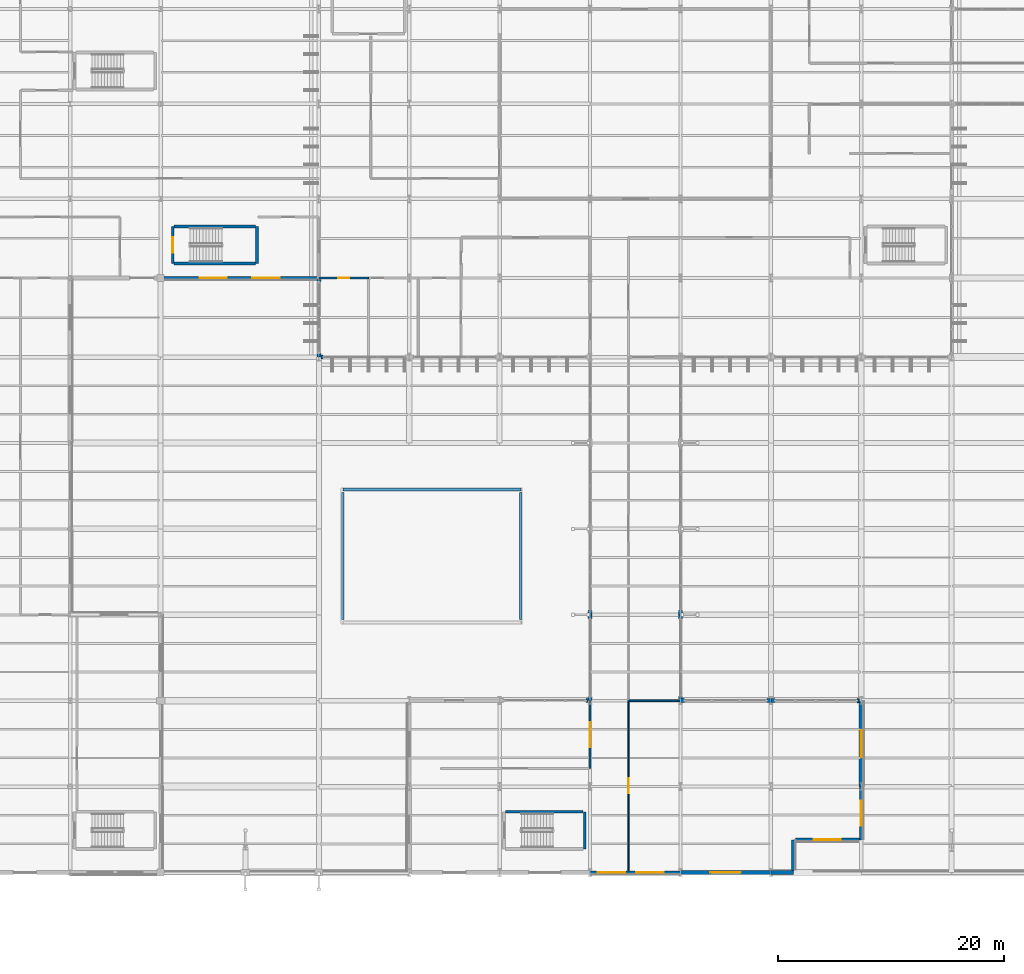
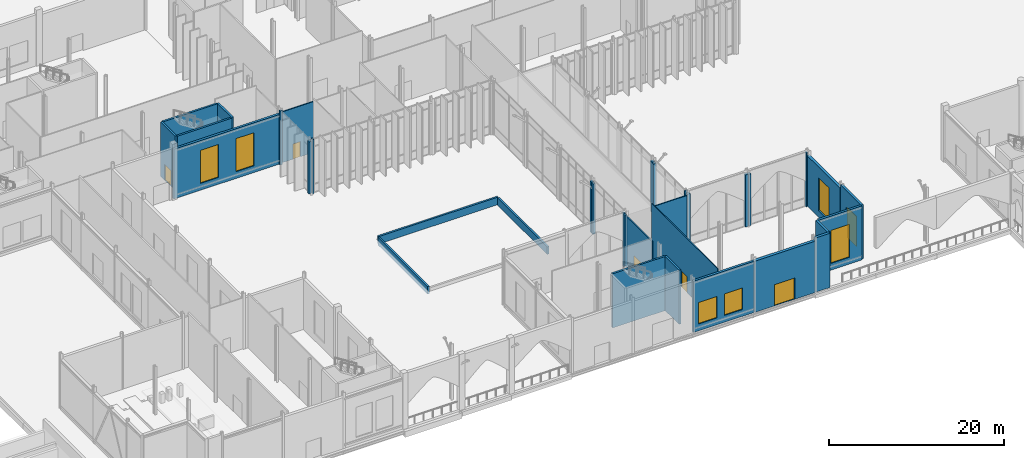
# One storey, part 135 of 176: 35 walls, 7 windows, 5 doors, 12 openings.
"""IFC4 building model written with IfcOpenShell, lengths in metres."""

import ifcopenshell
import ifcopenshell.guid

model = None  # the IFC model being written
_history = None  # IfcOwnerHistory: only IFC2X3 demands one
_inside = {}  # id of a spatial element -> (the spatial element, [elements in it])
_under = {}  # id of a project, library or spatial element -> (it, [spatial elements below it])
_declared = {}  # id of a project -> (the project, [libraries it declares])
_typed = {}  # id of a type object -> (the type object, [elements of that type])
_made_of = {}  # id of a material, layer set ... -> (it, [elements and type objects made of it])


def new_model(schema):
    """Start an empty IFC model of exactly this schema.

    Asked for "IFC4X3", IfcOpenShell would pick the latest addendum, in which some entities
    have other attributes; the version numbers below select the first issue.
    IFC2X3 requires an IfcOwnerHistory on every rooted entity: one is made here for all.
    """
    global model, _history
    if schema == "IFC4X3":
        model = ifcopenshell.file(schema_version=(4, 3, 0, 0))
    else:
        model = ifcopenshell.file(schema=schema)
    _inside.clear()
    _under.clear()
    _declared.clear()
    _typed.clear()
    _made_of.clear()
    _history = None
    if model.schema == "IFC2X3":
        org = make("IfcOrganization", Name="unknown")
        user = make(
            "IfcPersonAndOrganization",
            ThePerson=make("IfcPerson", FamilyName="unknown"),
            TheOrganization=org,
        )
        app = make(
            "IfcApplication",
            ApplicationDeveloper=org,
            Version="unknown",
            ApplicationFullName="unknown",
            ApplicationIdentifier="unknown",
        )
        _history = make(
            "IfcOwnerHistory",
            OwningUser=user,
            OwningApplication=app,
            ChangeAction="ADDED",
            CreationDate=0,
        )
    return model


def make(cls, **values):
    """One entity of the class cls with the attributes given. An attribute that is None is left unset."""
    return model.create_entity(
        cls, **{name: value for name, value in values.items() if value is not None}
    )


def rooted(cls, **values):
    """An entity with a GlobalId (a new one), such as an element, a storey or a relation."""
    return make(cls, GlobalId=ifcopenshell.guid.new(), OwnerHistory=_history, **values)


def si_unit(unit_type, name, prefix=None):
    """IfcSIUnit, for example si_unit("LENGTHUNIT", "METRE", prefix="MILLI")."""
    return make("IfcSIUnit", UnitType=unit_type, Prefix=prefix, Name=name)


def assignment(units):
    """IfcUnitAssignment: the units of a project."""
    return None if units is None else make("IfcUnitAssignment", Units=units)


def point(xyz):
    """IfcCartesianPoint."""
    return None if xyz is None else make("IfcCartesianPoint", Coordinates=xyz)


def direction(xyz):
    """IfcDirection."""
    return None if xyz is None else make("IfcDirection", DirectionRatios=xyz)


def frame(location, z_axis=None, x_axis=None):
    """IfcAxis2Placement3D, a coordinate frame: its origin and axes. An axis left out is left unset."""
    return make(
        "IfcAxis2Placement3D",
        Location=point(location),
        Axis=direction(z_axis),
        RefDirection=direction(x_axis),
    )


def frame_2d(location, x_axis=None):
    """IfcAxis2Placement2D, a coordinate frame in the plane: its origin and x axis."""
    return make(
        "IfcAxis2Placement2D", Location=point(location), RefDirection=direction(x_axis)
    )


def origin():
    """The frame at (0, 0, 0) with its axes left unset."""
    return frame((0.0, 0.0, 0.0))


def place(relative_to, where):
    """IfcLocalPlacement: puts the frame where relative to a parent placement (None: the world)."""
    return make(
        "IfcLocalPlacement", PlacementRelTo=relative_to, RelativePlacement=where
    )


def context(
    kind, dimensions, precision=None, world=None, true_north=None, identifier=None
):
    """IfcGeometricRepresentationContext, for example the 3D "Model" context."""
    return make(
        "IfcGeometricRepresentationContext",
        ContextIdentifier=identifier,
        ContextType=kind,
        CoordinateSpaceDimension=dimensions,
        Precision=precision,
        WorldCoordinateSystem=world,
        TrueNorth=true_north,
    )


def subcontext(parent, identifier, kind, view, scale=None):
    """IfcGeometricRepresentationSubContext, for example "Body" below "Model"."""
    return make(
        "IfcGeometricRepresentationSubContext",
        ContextIdentifier=identifier,
        ContextType=kind,
        ParentContext=parent,
        TargetScale=scale,
        TargetView=view,
    )


def project(units=None, contexts=None):
    """IfcProject with its units and contexts."""
    return rooted(
        "IfcProject",
        Name="project",
        RepresentationContexts=contexts,
        UnitsInContext=assignment(units),
    )


def spatial(cls, under=None, at=None, **own):
    """A site, building, storey or space (cls), placed at a placement, below another one or the project."""
    s = rooted(cls, ObjectPlacement=at, **own)
    if under is not None:
        _under.setdefault(under.id(), (under, []))[1].append(s)
    return s


def profile(cls, at=None, kind="AREA", **sizes):
    """A parametric profile (cls). Its sizes go by their IFC names, for example OverallWidth=200.0."""
    return make(cls, ProfileType=kind, Position=at, **sizes)


def rectangle(**sizes):
    """IfcRectangleProfileDef."""
    return profile("IfcRectangleProfileDef", **sizes)


def extrude(swept, where, along, depth):
    """IfcExtrudedAreaSolid: the profile swept, set in the frame where, extruded along a direction by depth."""
    return make(
        "IfcExtrudedAreaSolid",
        SweptArea=swept,
        Position=where,
        ExtrudedDirection=direction(along),
        Depth=depth,
    )


def shape(context_of_items, identifier, shape_type, items):
    """IfcShapeRepresentation: the items that make up one representation, for example the "Body"."""
    return make(
        "IfcShapeRepresentation",
        ContextOfItems=context_of_items,
        RepresentationIdentifier=identifier,
        RepresentationType=shape_type,
        Items=items,
    )


def material(Name=None, Category=None):
    """IfcMaterial."""
    return make("IfcMaterial", Name=Name, Category=Category)


def layer(
    of_material, thickness, ventilated=None, Name=None, Category=None, Priority=None
):
    """IfcMaterialLayer: one layer of a wall or slab, of a material (None: an air gap)."""
    return make(
        "IfcMaterialLayer",
        Material=of_material,
        LayerThickness=thickness,
        IsVentilated=ventilated,
        Name=Name,
        Category=Category,
        Priority=Priority,
    )


def layer_set(layers, Name=None):
    """IfcMaterialLayerSet."""
    return make("IfcMaterialLayerSet", MaterialLayers=layers, LayerSetName=Name)


def made_of(thing, what):
    """Note that an element or type object is made of a material, layer set ...; save() writes the relation."""
    if what is not None:
        _made_of.setdefault(what.id(), (what, []))[1].append(thing)
    return thing


def type_object(cls, material=None, **own):
    """A type object (cls), such as IfcWallType, which elements share."""
    return made_of(rooted(cls, **own), material)


def element(
    cls,
    number,
    at=None,
    inside=None,
    cuts=None,
    type_object=None,
    material=None,
    context=None,
    identifier="Body",
    shape_type=None,
    held_by="IfcProductDefinitionShape",
    body=None,
    shapes=None,
    **own,
):
    """One element of the class cls, such as IfcWall. Its Tag is "e" and its number.

    at: its placement. inside: the storey or other place that contains it. cuts: it is an
    opening in that element (IfcRelVoidsElement). A single representation is given by context,
    identifier, shape_type and body (its items); several are given by shapes. held_by: the class
    of the entity that holds the representations. save() writes the other relations.
    """
    e = rooted(cls, Tag="e%d" % number, ObjectPlacement=at, **own)
    if body is not None:
        shapes = [shape(context, identifier, shape_type, body)]
    if shapes is not None:
        e.Representation = make(held_by, Representations=shapes)
    if inside is not None:
        _inside.setdefault(inside.id(), (inside, []))[1].append(e)
    if cuts is not None:
        rooted(
            "IfcRelVoidsElement", RelatingBuildingElement=cuts, RelatedOpeningElement=e
        )
    if type_object is not None:
        _typed.setdefault(type_object.id(), (type_object, []))[1].append(e)
    return made_of(e, material)


def fill(opening, filler):
    """IfcRelFillsElement: the door or window that sits in an opening."""
    return rooted(
        "IfcRelFillsElement",
        RelatingOpeningElement=opening,
        RelatedBuildingElement=filler,
    )


def aggregate(whole, parts):
    """IfcRelAggregates: a whole, such as a stair, and the parts it consists of."""
    return rooted("IfcRelAggregates", RelatingObject=whole, RelatedObjects=parts)


def save(model, path):
    """Write the relations noted so far, then the file.

    IfcRelAggregates (storeys below a building ...), IfcRelContainedInSpatialStructure (elements
    in a storey), IfcRelDefinesByType, IfcRelAssociatesMaterial and IfcRelDeclares: one each for
    every whole, place, type object, material and project.
    """
    for whole, parts in _under.values():
        aggregate(whole, parts)
    for where, things in _inside.values():
        rooted(
            "IfcRelContainedInSpatialStructure",
            RelatedElements=things,
            RelatingStructure=where,
        )
    for kind, things in _typed.values():
        rooted("IfcRelDefinesByType", RelatedObjects=things, RelatingType=kind)
    for what, things in _made_of.values():
        rooted("IfcRelAssociatesMaterial", RelatedObjects=things, RelatingMaterial=what)
    for by, libraries in _declared.values():
        rooted("IfcRelDeclares", RelatingContext=by, RelatedDefinitions=libraries)
    model.write(path)


model = new_model("IFC4")

# Units and contexts
model_context = context("Model", 3, precision=1e-05, world=origin(), true_north=direction((0.0, 1.0)))
body_context = subcontext(model_context, "Body", "Model", "MODEL_VIEW")
ifc_project = project(units=[si_unit("LENGTHUNIT", "METRE"), si_unit("AREAUNIT", "SQUARE_METRE"), si_unit("VOLUMEUNIT", "CUBIC_METRE"), si_unit("PLANEANGLEUNIT", "RADIAN"), si_unit("MASSUNIT", "GRAM", prefix="KILO")], contexts=[model_context])

# Site, building, storey
site_placement = place(None, origin())
site = spatial("IfcSite", under=ifc_project, at=site_placement, CompositionType="ELEMENT")
building_placement = place(site_placement, origin())
building = spatial("IfcBuilding", under=site, at=building_placement, Name="Vekula Escarpment Museum", CompositionType="ELEMENT")
storey_placement = place(building_placement, origin())
storey = spatial("IfcBuildingStorey", under=building, at=storey_placement, Name="L01", CompositionType="ELEMENT", Elevation=0.0)

# Wall, opening, window
ifc_material_1 = material(Name="Inkisi arkosic sandstone masonry", Category="masonry")
ifc_layer_1 = layer(ifc_material_1, 0.300048828125)
ifc_layer_set_1 = layer_set([ifc_layer_1], Name="Inkisi arkosic sandstone masonry")
wall_type_1 = type_object("IfcWallType", Name="WL-ALM-300", PredefinedType="SOLIDWALL", material=ifc_layer_set_1)
wall_1_placement = place(storey_placement, frame((118.0, 7.60009765625, 0.0), z_axis=(0.0, 0.0, 1.0), x_axis=(0.0, -1.0, 0.0)))
wall_1 = element("IfcWall", 1, at=wall_1_placement, inside=storey, type_object=wall_type_1, Name="Exterior Wall WL-EXT-L01-0059", PredefinedType="SOLIDWALL", context=body_context, shape_type="SweptSolid", body=[
    extrude(rectangle(XDim=4.712158203125, YDim=0.300048828125, at=frame_2d((2.35595703125, 0.0))), origin(), (0.0, 0.0, 1.0), 7.5400390625),
])
opening_1_placement = place(wall_1_placement, frame((1.256103515625, 0.0, 0.949951171875)))
opening_1 = element("IfcOpeningElement", 2, at=opening_1_placement, cuts=wall_1, Name="Opening WN-04", PredefinedType="OPENING", context=body_context, shape_type="SweptSolid", body=[
    extrude(rectangle(XDim=2.199951171875, YDim=4.199951171875, at=frame_2d((1.10009765625, 2.10009765625))), frame((0.0, 0.159912109375, 0.0), z_axis=(0.0, -1.0, 0.0), x_axis=(1.0, 0.0, 0.0)), (0.0, 0.0, 1.0), 0.320068359375),
])
ifc_material_2 = material(Name="Double solar-control low-E glass", Category="glass")
window_type_1 = type_object("IfcWindowType", Name="WN-ARCH-22x42", PartitioningType="DOUBLE_PANEL_VERTICAL", PredefinedType="WINDOW", material=ifc_material_2)
window_1_placement = place(opening_1_placement, origin())
window_1 = element("IfcWindow", 3, at=window_1_placement, inside=storey, type_object=window_type_1, Name="Window L01-0001", OverallHeight=4.199951171875, OverallWidth=2.199951171875, PartitioningType="SINGLE_PANEL", PredefinedType="WINDOW", context=body_context, shape_type="SweptSolid", body=[
    extrude(rectangle(XDim=2.199951171875, YDim=4.199951171875, at=frame_2d((1.10009765625, 2.10009765625))), frame((0.0, 0.030029296875, 0.0), z_axis=(0.0, -1.0, 0.0), x_axis=(1.0, 0.0, 0.0)), (0.0, 0.0, 1.0), 0.06005859375),
])
fill(opening_1, window_1)

# Wall, openings, windows
wall_2_placement = place(storey_placement, frame((70.0, 52.60009765625, 0.0), z_axis=(0.0, 0.0, 1.0), x_axis=(-1.0, 0.0, 0.0)))
wall_2 = element("IfcWall", 4, at=wall_2_placement, inside=storey, type_object=wall_type_1, Name="Exterior Wall WL-EXT-L01-0287", PredefinedType="SOLIDWALL", context=body_context, shape_type="SweptSolid", body=[
    extrude(rectangle(XDim=14.0, YDim=0.300048828125, at=frame_2d((7.0, 0.0))), origin(), (0.0, 0.0, 1.0), 6.925048828125),
])
opening_2_placement = place(wall_2_placement, frame((3.466796875, 0.0, 0.949951171875)))
opening_2 = element("IfcOpeningElement", 5, at=opening_2_placement, cuts=wall_2, Name="Opening WN-05", PredefinedType="OPENING", context=body_context, shape_type="SweptSolid", body=[
    extrude(rectangle(XDim=2.39990234375, YDim=4.60009765625, at=frame_2d((1.199951171875, 2.300048828125))), frame((0.0, 0.159912109375, 0.0), z_axis=(0.0, -1.0, 0.0), x_axis=(1.0, 0.0, 0.0)), (0.0, 0.0, 1.0), 0.320068359375),
])
opening_3_placement = place(wall_2_placement, frame((8.13330078125, 0.0, 0.949951171875)))
opening_3 = element("IfcOpeningElement", 6, at=opening_3_placement, cuts=wall_2, Name="Opening WN-05", PredefinedType="OPENING", context=body_context, shape_type="SweptSolid", body=[
    extrude(rectangle(XDim=2.39990234375, YDim=4.60009765625, at=frame_2d((1.199951171875, 2.300048828125))), frame((0.0, 0.159912109375, 0.0), z_axis=(0.0, -1.0, 0.0), x_axis=(1.0, 0.0, 0.0)), (0.0, 0.0, 1.0), 0.320068359375),
])
ifc_material_3 = material(Name="Double solar-control low-E glass", Category="glass")
window_type_2 = type_object("IfcWindowType", Name="WN-ARCH-24x46", PartitioningType="TRIPLE_PANEL_VERTICAL", PredefinedType="WINDOW", material=ifc_material_3)
window_2_placement = place(opening_2_placement, origin())
window_2 = element("IfcWindow", 7, at=window_2_placement, inside=storey, type_object=window_type_2, Name="Window L01-0122", OverallHeight=4.60009765625, OverallWidth=2.39990234375, PartitioningType="SINGLE_PANEL", PredefinedType="WINDOW", context=body_context, shape_type="SweptSolid", body=[
    extrude(rectangle(XDim=2.39990234375, YDim=4.60009765625, at=frame_2d((1.199951171875, 2.300048828125))), frame((0.0, 0.030029296875, 0.0), z_axis=(0.0, -1.0, 0.0), x_axis=(1.0, 0.0, 0.0)), (0.0, 0.0, 1.0), 0.06005859375),
])
fill(opening_2, window_2)
window_3_placement = place(opening_3_placement, origin())
window_3 = element("IfcWindow", 8, at=window_3_placement, inside=storey, type_object=window_type_2, Name="Window L01-0123", OverallHeight=4.60009765625, OverallWidth=2.39990234375, PartitioningType="SINGLE_PANEL", PredefinedType="WINDOW", context=body_context, shape_type="SweptSolid", body=[
    extrude(rectangle(XDim=2.39990234375, YDim=4.60009765625, at=frame_2d((1.199951171875, 2.300048828125))), frame((0.0, 0.030029296875, 0.0), z_axis=(0.0, -1.0, 0.0), x_axis=(1.0, 0.0, 0.0)), (0.0, 0.0, 1.0), 0.06005859375),
])
fill(opening_3, window_3)

wall_3_placement = place(storey_placement, frame((102.0, 0.0, 0.0), z_axis=(0.0, 0.0, 1.0), x_axis=(-1.0, 0.0, 0.0)))
wall_3 = element("IfcWall", 9, at=wall_3_placement, inside=storey, type_object=wall_type_1, Name="Exterior Wall WL-EXT-L01-0311", PredefinedType="SOLIDWALL", context=body_context, shape_type="SweptSolid", body=[
    extrude(rectangle(XDim=8.0, YDim=0.300048828125, at=frame_2d((4.0, 0.0))), origin(), (0.0, 0.0, 1.0), 7.135009765625),
])
opening_4_placement = place(wall_3_placement, frame((1.5, 0.0, 0.949951171875)))
opening_4 = element("IfcOpeningElement", 10, at=opening_4_placement, cuts=wall_3, Name="Opening WN-14", PredefinedType="OPENING", context=body_context, shape_type="SweptSolid", body=[
    extrude(rectangle(XDim=2.39990234375, YDim=3.0, at=frame_2d((1.199951171875, 1.5))), frame((0.0, 0.159912109375, 0.0), z_axis=(0.0, -1.0, 0.0), x_axis=(1.0, 0.0, 0.0)), (0.0, 0.0, 1.0), 0.320068359375),
])
opening_5_placement = place(wall_3_placement, frame((4.89990234375, 0.0, 0.949951171875)))
opening_5 = element("IfcOpeningElement", 11, at=opening_5_placement, cuts=wall_3, Name="Opening WN-14", PredefinedType="OPENING", context=body_context, shape_type="SweptSolid", body=[
    extrude(rectangle(XDim=2.39990234375, YDim=3.0, at=frame_2d((1.199951171875, 1.5))), frame((0.0, 0.159912109375, 0.0), z_axis=(0.0, -1.0, 0.0), x_axis=(1.0, 0.0, 0.0)), (0.0, 0.0, 1.0), 0.320068359375),
])
ifc_material_4 = material(Name="Double solar-control low-E glass", Category="glass")
window_type_3 = type_object("IfcWindowType", Name="WN-CAFE-24x30", PartitioningType="TRIPLE_PANEL_VERTICAL", PredefinedType="WINDOW", material=ifc_material_4)
window_4_placement = place(opening_4_placement, origin())
window_4 = element("IfcWindow", 12, at=window_4_placement, inside=storey, type_object=window_type_3, Name="Window L01-0126", OverallHeight=3.0, OverallWidth=2.39990234375, PartitioningType="SINGLE_PANEL", PredefinedType="WINDOW", context=body_context, shape_type="SweptSolid", body=[
    extrude(rectangle(XDim=2.39990234375, YDim=3.0, at=frame_2d((1.199951171875, 1.5))), frame((0.0, 0.030029296875, 0.0), z_axis=(0.0, -1.0, 0.0), x_axis=(1.0, 0.0, 0.0)), (0.0, 0.0, 1.0), 0.06005859375),
])
fill(opening_4, window_4)
window_5_placement = place(opening_5_placement, origin())
window_5 = element("IfcWindow", 13, at=window_5_placement, inside=storey, type_object=window_type_3, Name="Window L01-0127", OverallHeight=3.0, OverallWidth=2.39990234375, PartitioningType="SINGLE_PANEL", PredefinedType="WINDOW", context=body_context, shape_type="SweptSolid", body=[
    extrude(rectangle(XDim=2.39990234375, YDim=3.0, at=frame_2d((1.199951171875, 1.5))), frame((0.0, 0.030029296875, 0.0), z_axis=(0.0, -1.0, 0.0), x_axis=(1.0, 0.0, 0.0)), (0.0, 0.0, 1.0), 0.06005859375),
])
fill(opening_5, window_5)

# Wall, opening, window
wall_4_placement = place(storey_placement, frame((117.845947265625, 2.887939453125, 0.0), z_axis=(0.0, 0.0, 1.0), x_axis=(-1.0, 0.0, 0.0)))
wall_4 = element("IfcWall", 14, at=wall_4_placement, inside=storey, type_object=wall_type_1, Name="Exterior Wall WL-EXT-L01-0315", PredefinedType="SOLIDWALL", context=body_context, shape_type="SweptSolid", body=[
    extrude(rectangle(XDim=5.681884765625, YDim=0.300048828125, at=frame_2d((2.8408203125, 0.0))), origin(), (0.0, 0.0, 1.0), 7.5400390625),
])
opening_6_placement = place(wall_4_placement, frame((1.64111328125, 0.0, 0.949951171875)))
opening_6 = element("IfcOpeningElement", 15, at=opening_6_placement, cuts=wall_4, Name="Opening WN-05", PredefinedType="OPENING", context=body_context, shape_type="SweptSolid", body=[
    extrude(rectangle(XDim=2.39990234375, YDim=4.60009765625, at=frame_2d((1.199951171875, 2.300048828125))), frame((0.0, 0.159912109375, 0.0), z_axis=(0.0, -1.0, 0.0), x_axis=(1.0, 0.0, 0.0)), (0.0, 0.0, 1.0), 0.320068359375),
])
window_6_placement = place(opening_6_placement, origin())
window_6 = element("IfcWindow", 16, at=window_6_placement, inside=storey, type_object=window_type_2, Name="Window L01-0128", OverallHeight=4.60009765625, OverallWidth=2.39990234375, PartitioningType="SINGLE_PANEL", PredefinedType="WINDOW", context=body_context, shape_type="SweptSolid", body=[
    extrude(rectangle(XDim=2.39990234375, YDim=4.60009765625, at=frame_2d((1.199951171875, 2.300048828125))), frame((0.0, 0.030029296875, 0.0), z_axis=(0.0, -1.0, 0.0), x_axis=(1.0, 0.0, 0.0)), (0.0, 0.0, 1.0), 0.06005859375),
])
fill(opening_6, window_6)

# Walls
ifc_material_5 = material(Name="Inkisi arkosic sandstone masonry", Category="masonry")
ifc_layer_2 = layer(ifc_material_5, 0.320068359375)
ifc_layer_set_2 = layer_set([ifc_layer_2], Name="Inkisi arkosic sandstone masonry")
wall_type_2 = type_object("IfcWallType", Name="WL-ALM-320", PredefinedType="SOLIDWALL", material=ifc_layer_set_2)
wall_5_placement = place(storey_placement, frame((112.0, 2.887939453125, 0.0), z_axis=(0.0, 0.0, 1.0), x_axis=(0.0, -1.0, 0.0)))
element("IfcWall", 17, at=wall_5_placement, inside=storey, type_object=wall_type_2, Name="Exterior Wall WL-EXT-L01-0314", PredefinedType="SOLIDWALL", context=body_context, shape_type="SweptSolid", body=[
    extrude(rectangle(XDim=2.708984375, YDim=0.320068359375, at=frame_2d((1.3544921875, 0.0))), origin(), (0.0, 0.0, 1.0), 7.5400390625),
])
ifc_material_6 = material(Name="Inkisi arkosic sandstone masonry", Category="masonry")
ifc_layer_3 = layer(ifc_material_6, 0.35009765625)
ifc_layer_set_3 = layer_set([ifc_layer_3], Name="Inkisi arkosic sandstone masonry")
wall_type_3 = type_object("IfcWallType", Name="WL-ALM-350", PredefinedType="SOLIDWALL", material=ifc_layer_set_3)
wall_6_placement = place(storey_placement, frame((117.805908203125, 15.199951171875, 0.0), z_axis=(0.0, 0.0, 1.0), x_axis=(-1.0, 0.0, 0.0)))
element("IfcWall", 18, at=wall_6_placement, inside=storey, type_object=wall_type_3, Name="Facade Jamb Pier L01-0061A", PredefinedType="SOLIDWALL", context=body_context, shape_type="SweptSolid", body=[
    extrude(rectangle(XDim=0.166015625, YDim=0.35009765625, at=frame_2d((0.0830078125, 0.0))), origin(), (0.0, 0.0, 1.0), 7.5400390625),
])
wall_7_placement = place(storey_placement, frame((110.360107421875, 15.199951171875, 0.0), z_axis=(0.0, 0.0, 1.0), x_axis=(-1.0, 0.0, 0.0)))
element("IfcWall", 19, at=wall_7_placement, inside=storey, type_object=wall_type_3, Name="Facade Jamb Pier L01-0062B", PredefinedType="SOLIDWALL", context=body_context, shape_type="SweptSolid", body=[
    extrude(rectangle(XDim=0.360107421875, YDim=0.35009765625, at=frame_2d((0.18017578125, 0.0))), origin(), (0.0, 0.0, 1.0), 7.205078125),
])
for number, where, z_axis, x_axis, name in (
    (20, (110.0, 15.199951171875, 0.0), (0.0, 0.0, 1.0), (-1.0, 0.0, 0.0), "Facade Jamb Pier L01-0063A"),
    (21, (102.360107421875, 15.199951171875, 0.0), (0.0, 0.0, 1.0), (-1.0, 0.0, 0.0), "Facade Jamb Pier L01-0064B"),
):
    element("IfcWall", number, at=place(storey_placement, frame(where, z_axis=z_axis, x_axis=x_axis)), inside=storey, type_object=wall_type_3, Name=name, PredefinedType="SOLIDWALL", context=body_context, shape_type="SweptSolid", body=[
        extrude(rectangle(XDim=0.360107421875, YDim=0.35009765625, at=frame_2d((0.18017578125, 0.0))), origin(), (0.0, 0.0, 1.0), 7.2451171875),
    ])
wall_8_placement = place(storey_placement, frame((102.0, 15.37890625, 0.0), z_axis=(0.0, 0.0, 1.0), x_axis=(0.0, 1.0, 0.0)))
element("IfcWall", 22, at=wall_8_placement, inside=storey, type_object=wall_type_3, Name="Facade Jamb Pier L01-0065A", PredefinedType="SOLIDWALL", context=body_context, shape_type="SweptSolid", body=[
    extrude(rectangle(XDim=0.18115234375, YDim=0.35009765625, at=frame_2d((0.090576171875, 0.0))), origin(), (0.0, 0.0, 1.0), 7.5400390625),
])
wall_9_placement = place(storey_placement, frame((102.0, 22.43994140625, 0.0), z_axis=(0.0, 0.0, 1.0), x_axis=(0.0, 1.0, 0.0)))
element("IfcWall", 23, at=wall_9_placement, inside=storey, type_object=wall_type_3, Name="Facade Jamb Pier L01-0066B", PredefinedType="SOLIDWALL", context=body_context, shape_type="SweptSolid", body=[
    extrude(rectangle(XDim=0.360107421875, YDim=0.35009765625, at=frame_2d((0.18017578125, 0.0))), origin(), (0.0, 0.0, 1.0), 7.02490234375),
])
wall_10_placement = place(storey_placement, frame((102.0, 22.800048828125, 0.0), z_axis=(0.0, 0.0, 1.0), x_axis=(0.0, 1.0, 0.0)))
element("IfcWall", 24, at=wall_10_placement, inside=storey, type_object=wall_type_3, Name="Facade Jamb Pier L01-0067A", PredefinedType="SOLIDWALL", context=body_context, shape_type="SweptSolid", body=[
    extrude(rectangle(XDim=0.35986328125, YDim=0.35009765625, at=frame_2d((0.179931640625, 0.0))), origin(), (0.0, 0.0, 1.0), 7.0849609375),
])
wall_11_placement = place(storey_placement, frame((70.0, 52.446044921875, 0.0), z_axis=(0.0, 0.0, 1.0), x_axis=(0.0, -1.0, 0.0)))
element("IfcWall", 25, at=wall_11_placement, inside=storey, type_object=wall_type_3, Name="Facade Jamb Pier L01-0288A", PredefinedType="SOLIDWALL", context=body_context, shape_type="SweptSolid", body=[
    extrude(rectangle(XDim=0.2060546875, YDim=0.35009765625, at=frame_2d((0.10302734375, 0.0))), origin(), (0.0, 0.0, 1.0), 7.5400390625),
])
wall_12_placement = place(storey_placement, frame((70.0, 45.9599609375, 0.0), z_axis=(0.0, 0.0, 1.0), x_axis=(0.0, -1.0, 0.0)))
element("IfcWall", 26, at=wall_12_placement, inside=storey, type_object=wall_type_3, Name="Facade Jamb Pier L01-0289B", PredefinedType="SOLIDWALL", context=body_context, shape_type="SweptSolid", body=[
    extrude(rectangle(XDim=0.35986328125, YDim=0.35009765625, at=frame_2d((0.179931640625, 0.0))), origin(), (0.0, 0.0, 1.0), 7.235107421875),
])
wall_13_placement = place(storey_placement, frame((70.178955078125, 45.60009765625, 0.0), z_axis=(0.0, 0.0, 1.0), x_axis=(1.0, 0.0, 0.0)))
element("IfcWall", 27, at=wall_13_placement, inside=storey, type_object=wall_type_3, Name="Facade Jamb Pier L01-0290A", PredefinedType="SOLIDWALL", context=body_context, shape_type="SweptSolid", body=[
    extrude(rectangle(XDim=0.18115234375, YDim=0.35009765625, at=frame_2d((0.090576171875, 0.0))), origin(), (0.0, 0.0, 1.0), 7.5400390625),
])
wall_14_placement = place(storey_placement, frame((94.0, 23.159912109375, 0.0), z_axis=(0.0, 0.0, 1.0), x_axis=(0.0, -1.0, 0.0)))
element("IfcWall", 28, at=wall_14_placement, inside=storey, type_object=wall_type_3, Name="Facade Jamb Pier L01-0301B", PredefinedType="SOLIDWALL", context=body_context, shape_type="SweptSolid", body=[
    extrude(rectangle(XDim=0.35986328125, YDim=0.35009765625, at=frame_2d((0.179931640625, 0.0))), origin(), (0.0, 0.0, 1.0), 7.0849609375),
])
for number, where, z_axis, x_axis, name in (
    (29, (94.0, 22.800048828125, 0.0), (0.0, 0.0, 1.0), (0.0, -1.0, 0.0), "Facade Jamb Pier L01-0302A"),
    (30, (94.0, 15.56005859375, 0.0), (0.0, 0.0, 1.0), (0.0, -1.0, 0.0), "Facade Jamb Pier L01-0303B"),
):
    element("IfcWall", number, at=place(storey_placement, frame(where, z_axis=z_axis, x_axis=x_axis)), inside=storey, type_object=wall_type_3, Name=name, PredefinedType="SOLIDWALL", context=body_context, shape_type="SweptSolid", body=[
        extrude(rectangle(XDim=0.360107421875, YDim=0.35009765625, at=frame_2d((0.18017578125, 0.0))), origin(), (0.0, 0.0, 1.0), 7.02490234375),
    ])
wall_15_placement = place(storey_placement, frame((93.821044921875, 15.199951171875, 0.0), z_axis=(0.0, 0.0, 1.0), x_axis=(-1.0, 0.0, 0.0)))
element("IfcWall", 31, at=wall_15_placement, inside=storey, type_object=wall_type_3, Name="Facade Jamb Pier L01-0304A", PredefinedType="SOLIDWALL", context=body_context, shape_type="SweptSolid", body=[
    extrude(rectangle(XDim=0.18115234375, YDim=0.35009765625, at=frame_2d((0.090576171875, 0.0))), origin(), (0.0, 0.0, 1.0), 7.5400390625),
])
wall_16_placement = place(storey_placement, frame((112.0, 0.0, 0.0), z_axis=(0.0, 0.0, 1.0), x_axis=(-1.0, 0.0, 0.0)))
element("IfcWall", 32, at=wall_16_placement, inside=storey, type_object=wall_type_3, Name="Exterior Wall WL-EXT-L01-0313", PredefinedType="SOLIDWALL", context=body_context, shape_type="SweptSolid", body=[
    extrude(rectangle(XDim=2.0, YDim=0.35009765625, at=frame_2d((1.0, 0.0))), origin(), (0.0, 0.0, 1.0), 7.5400390625),
])

# Wall, opening, window
ifc_material_7 = material(Name="Inkisi arkosic sandstone masonry", Category="masonry")
ifc_layer_4 = layer(ifc_material_7, 0.3798828125)
ifc_layer_set_4 = layer_set([ifc_layer_4], Name="Inkisi arkosic sandstone masonry")
wall_type_4 = type_object("IfcWallType", Name="WL-ALM-380", PredefinedType="SOLIDWALL", material=ifc_layer_set_4)
wall_17_placement = place(storey_placement, frame((118.0, 15.199951171875, 0.0), z_axis=(0.0, 0.0, 1.0), x_axis=(0.0, -1.0, 0.0)))
wall_17 = element("IfcWall", 33, at=wall_17_placement, inside=storey, type_object=wall_type_4, Name="Exterior Wall WL-EXT-L01-0060", PredefinedType="SOLIDWALL", context=body_context, shape_type="SweptSolid", body=[
    extrude(rectangle(XDim=7.599853515625, YDim=0.3798828125, at=frame_2d((3.7998046875, 0.0))), origin(), (0.0, 0.0, 1.0), 7.02490234375),
])
opening_7_placement = place(wall_17_placement, frame((2.60009765625, 0.0, 0.949951171875)))
opening_7 = element("IfcOpeningElement", 34, at=opening_7_placement, cuts=wall_17, Name="Opening WN-05", PredefinedType="OPENING", context=body_context, shape_type="SweptSolid", body=[
    extrude(rectangle(XDim=2.39990234375, YDim=4.60009765625, at=frame_2d((1.199951171875, 2.300048828125))), frame((0.0, 0.199951171875, 0.0), z_axis=(0.0, -1.0, 0.0), x_axis=(1.0, 0.0, 0.0)), (0.0, 0.0, 1.0), 0.39990234375),
])
window_7_placement = place(opening_7_placement, origin())
window_7 = element("IfcWindow", 35, at=window_7_placement, inside=storey, type_object=window_type_2, Name="Window L01-0002", OverallHeight=4.60009765625, OverallWidth=2.39990234375, PartitioningType="SINGLE_PANEL", PredefinedType="WINDOW", context=body_context, shape_type="SweptSolid", body=[
    extrude(rectangle(XDim=2.39990234375, YDim=4.60009765625, at=frame_2d((1.199951171875, 2.300048828125))), frame((0.0, 0.030029296875, 0.0), z_axis=(0.0, -1.0, 0.0), x_axis=(1.0, 0.0, 0.0)), (0.0, 0.0, 1.0), 0.06005859375),
])
fill(opening_7, window_7)

# Wall, opening, door
wall_18_placement = place(storey_placement, frame((110.0, 0.0, 0.0), z_axis=(0.0, 0.0, 1.0), x_axis=(-1.0, 0.0, 0.0)))
wall_18 = element("IfcWall", 36, at=wall_18_placement, inside=storey, type_object=wall_type_4, Name="Exterior Wall WL-EXT-L01-0312", PredefinedType="SOLIDWALL", context=body_context, shape_type="SweptSolid", body=[
    extrude(rectangle(XDim=8.0, YDim=0.3798828125, at=frame_2d((4.0, 0.0))), origin(), (0.0, 0.0, 1.0), 7.135009765625),
])
opening_8_placement = place(wall_18_placement, frame((2.64990234375, 0.0, 0.0)))
opening_8 = element("IfcOpeningElement", 37, at=opening_8_placement, cuts=wall_18, Name="Opening D-EX17", PredefinedType="OPENING", context=body_context, shape_type="SweptSolid", body=[
    extrude(rectangle(XDim=2.699951171875, YDim=2.949951171875, at=frame_2d((1.35009765625, 1.47509765625))), frame((0.0, 0.199951171875, 0.0), z_axis=(0.0, -1.0, 0.0), x_axis=(1.0, 0.0, 0.0)), (0.0, 0.0, 1.0), 0.39990234375),
])
ifc_material_8 = material(Name="Bronze-anodized glazed exit door", Category="aluminium")
door_type_1 = type_object("IfcDoorType", Name="DR-EX-2700x2950", OperationType="NOTDEFINED", PredefinedType="DOOR", material=ifc_material_8)
door_1_placement = place(opening_8_placement, origin())
door_1 = element("IfcDoor", 38, at=door_1_placement, inside=storey, type_object=door_type_1, Name="South Seminar Exit D-EX17", OperationType="SINGLE_SWING_LEFT", OverallHeight=2.949951171875, OverallWidth=2.699951171875, PredefinedType="DOOR", context=body_context, shape_type="SweptSolid", body=[
    extrude(rectangle(XDim=2.699951171875, YDim=2.949951171875, at=frame_2d((1.35009765625, 1.47509765625))), frame((0.0, 0.02490234375, 0.0), z_axis=(0.0, -1.0, 0.0), x_axis=(1.0, 0.0, 0.0)), (0.0, 0.0, 1.0), 0.050048828125),
])
fill(opening_8, door_1)

ifc_material_9 = material(Name="Concrete C35/45", Category="concrete")
ifc_layer_5 = layer(ifc_material_9, 0.25)
ifc_layer_set_5 = layer_set([ifc_layer_5], Name="Concrete C35/45")
wall_type_5 = type_object("IfcWallType", Name="WL-CORE-250", PredefinedType="SHEAR", material=ifc_layer_set_5)
wall_19_placement = place(storey_placement, frame((57.074951171875, 53.875, 0.0), z_axis=(0.0, 0.0, 1.0), x_axis=(0.0, 1.0, 0.0)))
wall_19 = element("IfcWall", 39, at=wall_19_placement, inside=storey, type_object=wall_type_5, Name="Stair Core Wall ST-01 L01 W", PredefinedType="SHEAR", context=body_context, shape_type="SweptSolid", body=[
    extrude(rectangle(XDim=3.2900390625, YDim=0.25, at=frame_2d((1.64501953125, 0.0))), origin(), (0.0, 0.0, 1.0), 7.5400390625),
])
opening_9_placement = place(wall_19_placement, frame((0.945068359375, 0.0, 0.0)))
opening_9 = element("IfcOpeningElement", 40, at=opening_9_placement, cuts=wall_19, Name="Opening DR-FD60", PredefinedType="OPENING", context=body_context, shape_type="SweptSolid", body=[
    extrude(rectangle(XDim=1.39990234375, YDim=2.199951171875, at=frame_2d((0.699951171875, 1.10009765625))), frame((0.0, 0.135009765625, 0.0), z_axis=(0.0, -1.0, 0.0), x_axis=(1.0, 0.0, 0.0)), (0.0, 0.0, 1.0), 0.27001953125),
])
ifc_material_10 = material(Name="Fire-rated steel stair door", Category="steel")
door_type_2 = type_object("IfcDoorType", Name="DR-STAIR-1400x2200", OperationType="NOTDEFINED", PredefinedType="DOOR", material=ifc_material_10)
door_2_placement = place(opening_9_placement, origin())
door_2 = element("IfcDoor", 41, at=door_2_placement, inside=storey, type_object=door_type_2, Name="Protected Exit Stair Door ST-01 L01", OperationType="SINGLE_SWING_LEFT", OverallHeight=2.199951171875, OverallWidth=1.39990234375, PredefinedType="DOOR", context=body_context, shape_type="SweptSolid", body=[
    extrude(rectangle(XDim=1.39990234375, YDim=2.199951171875, at=frame_2d((0.699951171875, 1.10009765625))), frame((0.0, 0.02490234375, 0.0), z_axis=(0.0, -1.0, 0.0), x_axis=(1.0, 0.0, 0.0)), (0.0, 0.0, 1.0), 0.050048828125),
])
fill(opening_9, door_2)

# Walls
wall_20_placement = place(storey_placement, frame((64.52490234375, 53.875, 0.0), z_axis=(0.0, 0.0, 1.0), x_axis=(0.0, 1.0, 0.0)))
element("IfcWall", 42, at=wall_20_placement, inside=storey, type_object=wall_type_5, Name="Stair Core Wall ST-01 L01 E", PredefinedType="SHEAR", context=body_context, shape_type="SweptSolid", body=[
    extrude(rectangle(XDim=3.2900390625, YDim=0.25, at=frame_2d((1.64501953125, 0.0))), origin(), (0.0, 0.0, 1.0), 7.5400390625),
])
for number, where, z_axis, x_axis, name in (
    (43, (57.2041015625, 53.875, 0.0), (0.0, 0.0, 1.0), (1.0, 0.0, 0.0), "Stair Core Wall ST-01 L01 S"),
    (44, (57.2041015625, 57.1650390625, 0.0), (0.0, 0.0, 1.0), (1.0, 0.0, 0.0), "Stair Core Wall ST-01 L01 N"),
):
    element("IfcWall", number, at=place(storey_placement, frame(where, z_axis=z_axis, x_axis=x_axis)), inside=storey, type_object=wall_type_5, Name=name, PredefinedType="SHEAR", context=body_context, shape_type="SweptSolid", body=[
        extrude(rectangle(XDim=7.19189453125, YDim=0.25, at=frame_2d((3.595947265625, 0.0))), origin(), (0.0, 0.0, 1.0), 7.5400390625),
    ])
wall_21_placement = place(storey_placement, frame((93.52490234375, 2.074951171875, 0.0), z_axis=(0.0, 0.0, 1.0), x_axis=(0.0, 1.0, 0.0)))
element("IfcWall", 45, at=wall_21_placement, inside=storey, type_object=wall_type_5, Name="Stair Core Wall ST-11 L01 E", PredefinedType="SHEAR", context=body_context, shape_type="SweptSolid", body=[
    extrude(rectangle(XDim=3.2900390625, YDim=0.25, at=frame_2d((1.64501953125, 0.0))), origin(), (0.0, 0.0, 1.0), 7.5400390625),
])
wall_22_placement = place(storey_placement, frame((86.50390625, 5.364990234375, 0.0), z_axis=(0.0, 0.0, 1.0), x_axis=(1.0, 0.0, 0.0)))
element("IfcWall", 46, at=wall_22_placement, inside=storey, type_object=wall_type_5, Name="Stair Core Wall ST-11 L01 N", PredefinedType="SHEAR", context=body_context, shape_type="SweptSolid", body=[
    extrude(rectangle(XDim=6.89208984375, YDim=0.25, at=frame_2d((3.446044921875, 0.0))), origin(), (0.0, 0.0, 1.0), 7.5400390625),
])
ifc_material_11 = material(Name="Precast concrete C40/50", Category="concrete")
ifc_layer_6 = layer(ifc_material_11, 0.239990234375)
ifc_layer_set_6 = layer_set([ifc_layer_6], Name="Precast concrete C40/50")
wall_type_6 = type_object("IfcWallType", Name="WL-PAR-240", PredefinedType="PARAPET", material=ifc_layer_set_6)
wall_23_placement = place(storey_placement, frame((87.8798828125, 22.360107421875, -0.60009765625), z_axis=(0.0, 0.0, 1.0), x_axis=(0.0, 1.0, 0.0)))
element("IfcWall", 47, at=wall_23_placement, inside=storey, type_object=wall_type_6, Name="Sadirvan Basin Stone Curb S-02", PredefinedType="PARAPET", context=body_context, shape_type="SweptSolid", body=[
    extrude(rectangle(XDim=11.27978515625, YDim=0.239990234375, at=frame_2d((5.639892578125, 0.0))), origin(), (0.0, 0.0, 1.0), 1.050048828125),
])
wall_24_placement = place(storey_placement, frame((87.8798828125, 33.8798828125, -0.60009765625), z_axis=(0.0, 0.0, 1.0), x_axis=(-1.0, 0.0, 0.0)))
element("IfcWall", 48, at=wall_24_placement, inside=storey, type_object=wall_type_6, Name="Sadirvan Basin Stone Curb S-03", PredefinedType="PARAPET", context=body_context, shape_type="SweptSolid", body=[
    extrude(rectangle(XDim=15.759765625, YDim=0.239990234375, at=frame_2d((7.8798828125, 0.0))), origin(), (0.0, 0.0, 1.0), 1.050048828125),
])
wall_25_placement = place(storey_placement, frame((72.1201171875, 33.639892578125, -0.60009765625), z_axis=(0.0, 0.0, 1.0), x_axis=(0.0, -1.0, 0.0)))
element("IfcWall", 49, at=wall_25_placement, inside=storey, type_object=wall_type_6, Name="Sadirvan Basin Stone Curb S-04", PredefinedType="PARAPET", context=body_context, shape_type="SweptSolid", body=[
    extrude(rectangle(XDim=11.27978515625, YDim=0.239990234375, at=frame_2d((5.639892578125, 0.0))), origin(), (0.0, 0.0, 1.0), 1.050048828125),
])

# Wall, opening, door
ifc_material_12 = material(Name="Lightweight studio partition", Category="gypsum")
ifc_layer_7 = layer(ifc_material_12, 0.1201171875)
ifc_layer_set_7 = layer_set([ifc_layer_7], Name="Lightweight studio partition")
wall_type_7 = type_object("IfcWallType", Name="WL-PART-120", PredefinedType="PARTITIONING", material=ifc_layer_set_7)
wall_26_placement = place(storey_placement, frame((97.39990234375, 0.154052734375, 0.0), z_axis=(0.0, 0.0, 1.0), x_axis=(0.0, 1.0, 0.0)))
wall_26 = element("IfcWall", 50, at=wall_26_placement, inside=storey, type_object=wall_type_7, Name="Interior Partition WL-INT-L01-0081", PredefinedType="PARTITIONING", context=body_context, shape_type="SweptSolid", body=[
    extrude(rectangle(XDim=15.0458984375, YDim=0.1201171875, at=frame_2d((7.52294921875, 0.0))), origin(), (0.0, 0.0, 1.0), 7.5400390625),
])
opening_10_placement = place(wall_26_placement, frame((6.873046875, 0.0, 0.0)))
opening_10 = element("IfcOpeningElement", 51, at=opening_10_placement, cuts=wall_26, Name="Opening DR-SM13", PredefinedType="OPENING", context=body_context, shape_type="SweptSolid", body=[
    extrude(rectangle(XDim=1.300048828125, YDim=2.25, at=frame_2d((0.64990234375, 1.125))), frame((0.0, 0.070068359375, 0.0), z_axis=(0.0, -1.0, 0.0), x_axis=(1.0, 0.0, 0.0)), (0.0, 0.0, 1.0), 0.14013671875),
])
ifc_material_13 = material(Name="Acoustic seminar room door", Category="steel")
door_type_3 = type_object("IfcDoorType", Name="DR-SEM-1300x2250", OperationType="NOTDEFINED", PredefinedType="DOOR", material=ifc_material_13)
door_3_placement = place(opening_10_placement, origin())
door_3 = element("IfcDoor", 52, at=door_3_placement, inside=storey, type_object=door_type_3, Name="Interior Door L01-073", OperationType="SINGLE_SWING_RIGHT", OverallHeight=2.25, OverallWidth=1.300048828125, PredefinedType="DOOR", context=body_context, shape_type="SweptSolid", body=[
    extrude(rectangle(XDim=1.300048828125, YDim=2.25, at=frame_2d((0.64990234375, 1.125))), frame((0.0, 0.02490234375, 0.0), z_axis=(0.0, -1.0, 0.0), x_axis=(1.0, 0.0, 0.0)), (0.0, 0.0, 1.0), 0.050048828125),
])
fill(opening_10, door_3)

ifc_material_14 = material(Name="Moisture-resistant wet-room partition", Category="gypsum")
ifc_layer_8 = layer(ifc_material_14, 0.139892578125)
ifc_layer_set_8 = layer_set([ifc_layer_8], Name="Moisture-resistant wet-room partition")
wall_type_8 = type_object("IfcWallType", Name="WL-PART-140", PredefinedType="PARTITIONING", material=ifc_layer_set_8)
wall_27_placement = place(storey_placement, frame((70.0, 52.60009765625, 0.0), z_axis=(0.0, 0.0, 1.0), x_axis=(1.0, 0.0, 0.0)))
wall_27 = element("IfcWall", 53, at=wall_27_placement, inside=storey, type_object=wall_type_8, Name="Interior Partition WL-INT-L01-0058", PredefinedType="PARTITIONING", context=body_context, shape_type="SweptSolid", body=[
    extrude(rectangle(XDim=4.39990234375, YDim=0.139892578125, at=frame_2d((2.199951171875, 0.0))), origin(), (0.0, 0.0, 1.0), 7.074951171875),
])
opening_11_placement = place(wall_27_placement, frame((1.72509765625, 0.0, 0.0)))
opening_11 = element("IfcOpeningElement", 54, at=opening_11_placement, cuts=wall_27, Name="Opening DR-WC09", PredefinedType="OPENING", context=body_context, shape_type="SweptSolid", body=[
    extrude(rectangle(XDim=0.949951171875, YDim=2.10009765625, at=frame_2d((0.47509765625, 1.050048828125))), frame((0.0, 0.079833984375, 0.0), z_axis=(0.0, -1.0, 0.0), x_axis=(1.0, 0.0, 0.0)), (0.0, 0.0, 1.0), 0.159912109375),
])
ifc_material_15 = material(Name="Laminate washroom door", Category="wood")
door_type_4 = type_object("IfcDoorType", Name="DR-WC-0950x2100", OperationType="NOTDEFINED", PredefinedType="DOOR", material=ifc_material_15)
door_4_placement = place(opening_11_placement, origin())
door_4 = element("IfcDoor", 55, at=door_4_placement, inside=storey, type_object=door_type_4, Name="Interior Door L01-055", OperationType="SINGLE_SWING_RIGHT", OverallHeight=2.10009765625, OverallWidth=0.949951171875, PredefinedType="DOOR", context=body_context, shape_type="SweptSolid", body=[
    extrude(rectangle(XDim=0.949951171875, YDim=2.10009765625, at=frame_2d((0.47509765625, 1.050048828125))), frame((0.0, 0.02490234375, 0.0), z_axis=(0.0, -1.0, 0.0), x_axis=(1.0, 0.0, 0.0)), (0.0, 0.0, 1.0), 0.050048828125),
])
fill(opening_11, door_4)

ifc_material_16 = material(Name="Gypsum board dry-lined partition", Category="gypsum")
ifc_layer_9 = layer(ifc_material_16, 0.14990234375)
ifc_layer_set_9 = layer_set([ifc_layer_9], Name="Gypsum board dry-lined partition")
wall_type_9 = type_object("IfcWallType", Name="WL-PART-150", PredefinedType="PARTITIONING", material=ifc_layer_set_9)
wall_28_placement = place(storey_placement, frame((94.0, 9.199951171875, 0.0), z_axis=(0.0, 0.0, 1.0), x_axis=(0.0, 1.0, 0.0)))
wall_28 = element("IfcWall", 56, at=wall_28_placement, inside=storey, type_object=wall_type_9, Name="Interior Partition WL-INT-L01-0080", PredefinedType="PARTITIONING", context=body_context, shape_type="SweptSolid", body=[
    extrude(rectangle(XDim=6.0, YDim=0.14990234375, at=frame_2d((3.0, 0.0))), origin(), (0.0, 0.0, 1.0), 7.02490234375),
])
opening_12_placement = place(wall_28_placement, frame((1.89990234375, 0.0, 0.0)))
opening_12 = element("IfcOpeningElement", 57, at=opening_12_placement, cuts=wall_28, Name="Opening DR-GL22", PredefinedType="OPENING", context=body_context, shape_type="SweptSolid", body=[
    extrude(rectangle(XDim=2.199951171875, YDim=2.60009765625, at=frame_2d((1.10009765625, 1.300048828125))), frame((0.0, 0.0849609375, 0.0), z_axis=(0.0, -1.0, 0.0), x_axis=(1.0, 0.0, 0.0)), (0.0, 0.0, 1.0), 0.169921875),
])
ifc_material_17 = material(Name="Double acoustic timber gallery door", Category="wood")
door_type_5 = type_object("IfcDoorType", Name="DR-GAL-2200x2600", OperationType="NOTDEFINED", PredefinedType="DOOR", material=ifc_material_17)
door_5_placement = place(opening_12_placement, origin())
door_5 = element("IfcDoor", 58, at=door_5_placement, inside=storey, type_object=door_type_5, Name="Interior Door L01-072", OperationType="SINGLE_SWING_LEFT", OverallHeight=2.60009765625, OverallWidth=2.199951171875, PredefinedType="DOOR", context=body_context, shape_type="SweptSolid", body=[
    extrude(rectangle(XDim=2.199951171875, YDim=2.60009765625, at=frame_2d((1.10009765625, 1.300048828125))), frame((0.0, 0.02490234375, 0.0), z_axis=(0.0, -1.0, 0.0), x_axis=(1.0, 0.0, 0.0)), (0.0, 0.0, 1.0), 0.050048828125),
])
fill(opening_12, door_5)

# Wall
wall_29_placement = place(storey_placement, frame((97.464111328125, 15.199951171875, 0.0), z_axis=(0.0, 0.0, 1.0), x_axis=(1.0, 0.0, 0.0)))
element("IfcWall", 59, at=wall_29_placement, inside=storey, type_object=wall_type_9, Name="Interior Partition WL-INT-L01-0083", PredefinedType="PARTITIONING", context=body_context, shape_type="SweptSolid", body=[
    extrude(rectangle(XDim=4.535888671875, YDim=0.14990234375, at=frame_2d((2.26806640625, 0.0))), origin(), (0.0, 0.0, 1.0), 7.02490234375),
])

save(model, "model.ifc")
